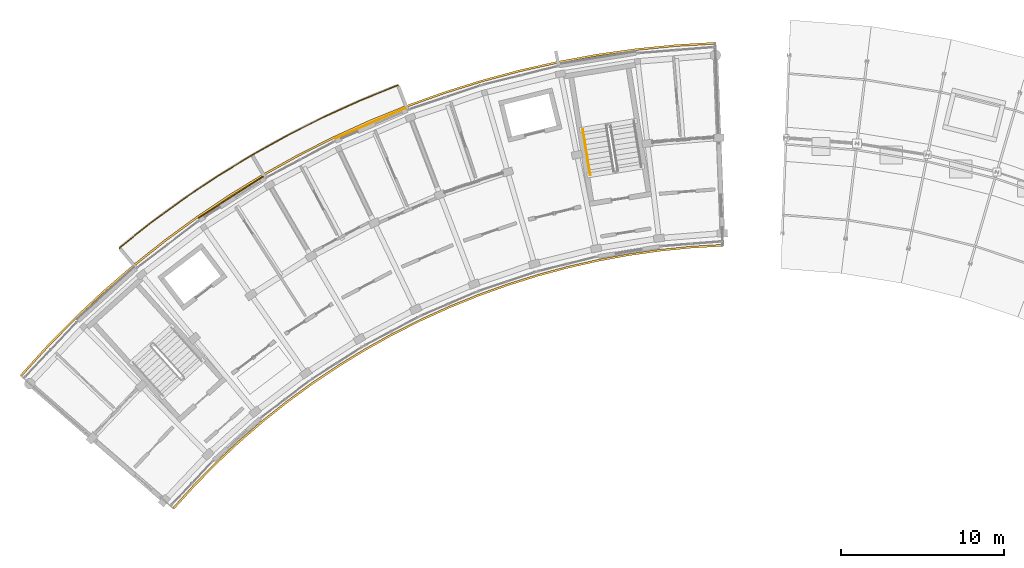
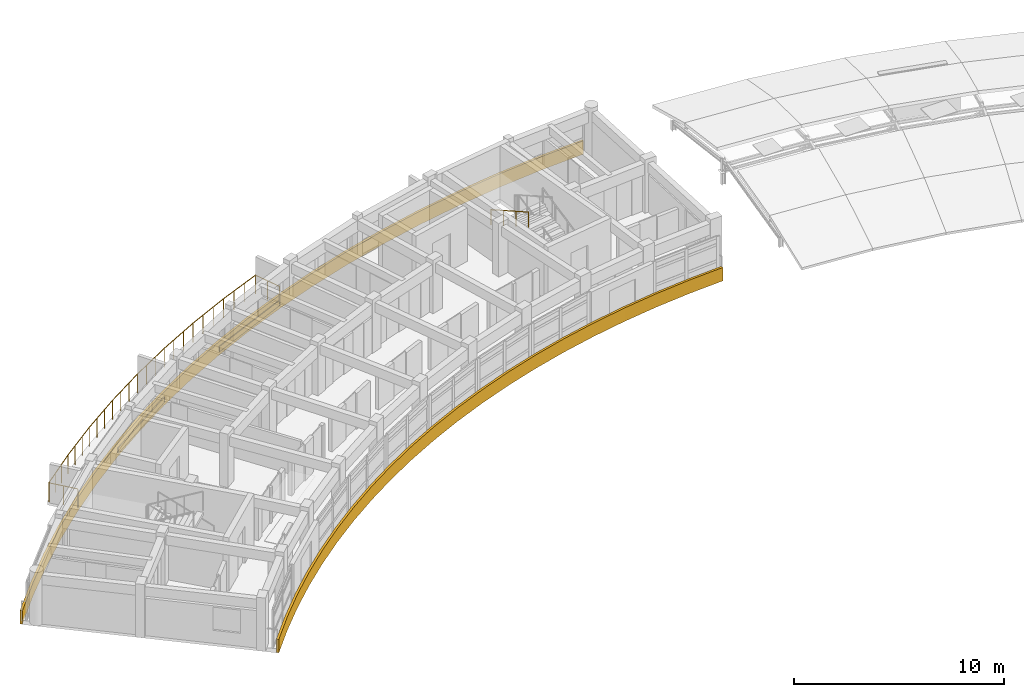
# One storey, part 19 of 20: 4 railings, 2 coverings.
"""IFC4 building model written with IfcOpenShell, lengths in metres."""

from ifc_helpers import new_model, si_unit, direction, frame, origin, origin_2d, place, context, subcontext, project, spatial, polyline, rectangle, circle, outline, extrude, material, layer, layer_set, type_object, element, save


model = new_model("IFC4")

# Units and contexts
model_context = context("Model", 3, precision=1e-05, world=origin(), true_north=direction((0.0, 1.0)))
body_context = subcontext(model_context, "Body", "Model", "MODEL_VIEW")
ifc_project = project(units=[si_unit("LENGTHUNIT", "METRE"), si_unit("AREAUNIT", "SQUARE_METRE"), si_unit("VOLUMEUNIT", "CUBIC_METRE"), si_unit("PLANEANGLEUNIT", "RADIAN"), si_unit("MASSUNIT", "GRAM", prefix="KILO")], contexts=[model_context])

# Site, building, storey
site_placement = place(None, origin())
site = spatial("IfcSite", under=ifc_project, at=site_placement, CompositionType="ELEMENT")
building_placement = place(site_placement, origin())
building = spatial("IfcBuilding", under=site, at=building_placement, Name="Zimvara Arc Housing Community", CompositionType="ELEMENT")
storey_placement = place(building_placement, frame((0.0, 0.0, 39.10009765625)))
storey = spatial("IfcBuildingStorey", under=building, at=storey_placement, Name="L12", CompositionType="ELEMENT", Elevation=39.10009765625)

# Coverings
ifc_material_1 = material(Name="Pale-Gold Anodised Aluminium Cladding", Category="aluminium")
ifc_layer_1 = layer(ifc_material_1, 0.044921875)
ifc_layer_set_1 = layer_set([ifc_layer_1], Name="Pale-Gold Anodised Aluminium Cladding")
covering_type_1 = type_object("IfcCoveringType", Name="CLD-GOLD-02", PredefinedType="CLADDING", material=ifc_layer_set_1)
covering_1_placement = place(storey_placement, frame((21.50830078125, 99.152099609375, 0.009765625), z_axis=(0.0, 0.0, 1.0), x_axis=(0.918721611116, 0.394905813161, 0.0)))
element("IfcCovering", 1, at=covering_1_placement, inside=storey, type_object=covering_type_1, Name="cld:blkA:L12:out:b5", PredefinedType="CLADDING", context=body_context, shape_type="SweptSolid", body=[
    extrude(rectangle(XDim=4.748779296875, YDim=0.044921875, at=origin_2d()), origin(), (0.0, 0.0, 1.0), 0.300048828125),
])
ifc_material_2 = material(Name="Pale-Gold Anodised Aluminium Cladding", Category="aluminium")
ifc_layer_2 = layer(ifc_material_2, 0.054931640625)
ifc_layer_set_2 = layer_set([ifc_layer_2], Name="Pale-Gold Anodised Aluminium Cladding")
covering_type_2 = type_object("IfcCoveringType", Name="CLD-GOLD-04", PredefinedType="CLADDING", material=ifc_layer_set_2)
covering_2_placement = place(storey_placement, frame((12.9326171875, 94.603759765625, 0.009765625), z_axis=(0.0, 0.0, 1.0), x_axis=(0.842265220048, 0.53906335351, 0.0)))
element("IfcCovering", 2, at=covering_2_placement, inside=storey, type_object=covering_type_2, Name="cld:blkA:L12:out:b3", PredefinedType="CLADDING", context=body_context, shape_type="SweptSolid", body=[
    extrude(rectangle(XDim=4.748779296875, YDim=0.054931640625, at=origin_2d()), origin(), (0.0, 0.0, 1.0), 0.300048828125),
])

# Railings
ifc_material_3 = material(Name="Anodised Aluminium AW-6063", Category="aluminium")
railing_type_1 = type_object("IfcRailingType", Name="RLG-BAL-1120", PredefinedType="BALUSTRADE", material=ifc_material_3)
railing_1_placement = place(storey_placement, frame((7.00927734375, 90.357666015625, 0.0)))
element("IfcRailing", 3, at=railing_1_placement, inside=storey, type_object=railing_type_1, Name="rlg:blkA:L12:bal_out_guard", PredefinedType="BALUSTRADE", context=body_context, shape_type="SweptSolid", body=[
    extrude(circle(Radius=0.02392578125, at=origin_2d()), frame((0.0, 0.0, 1.09619140625), z_axis=(-0.637992539284, 0.770042544161, 0.0), x_axis=(-0.770042544161, -0.637992539284, 0.0)), (0.0, 0.0, 1.0), 1.4697265625),
    extrude(circle(Radius=0.02392578125, at=origin_2d()), frame((-0.937744140625, 1.1318359375, 1.09619140625), z_axis=(0.782948045611, 0.622087098302, 0.0), x_axis=(-0.622087098302, 0.782948045611, 0.0)), (0.0, 0.0, 1.0), 2.4921875),
    extrude(circle(Radius=0.02392578125, at=origin_2d()), frame((1.013427734375, 2.68212890625, 1.09619140625), z_axis=(0.80765852685, 0.589650493095, 0.0), x_axis=(-0.589650493095, 0.80765852685, 0.0)), (0.0, 0.0, 1.0), 2.49169921875),
    extrude(circle(Radius=0.02392578125, at=origin_2d()), frame((3.02587890625, 4.1513671875, 1.09619140625), z_axis=(0.83106930865, 0.556168863044, 0.0), x_axis=(-0.556168863044, 0.83106930865, 0.0)), (0.0, 0.0, 1.0), 2.491943359375),
    extrude(circle(Radius=0.02392578125, at=origin_2d()), frame((5.096923828125, 5.537353515625, 1.09619140625), z_axis=(0.853131649433, 0.521695685947, 0.0), x_axis=(-0.521695685947, 0.853131649433, 0.0)), (0.0, 0.0, 1.0), 2.491943359375),
    extrude(circle(Radius=0.02392578125, at=origin_2d()), frame((7.222900390625, 6.83740234375, 1.09619140625), z_axis=(0.873653060707, 0.486549411178, 0.0), x_axis=(-0.486549411178, 0.873653060707, 0.0)), (0.0, 0.0, 1.0), 2.491943359375),
    extrude(circle(Radius=0.02392578125, at=origin_2d()), frame((9.39990234375, 8.0498046875, 1.09619140625), z_axis=(0.892834384016, 0.450385127107, 0.0), x_axis=(-0.450385127107, 0.892834384016, 0.0)), (0.0, 0.0, 1.0), 2.491943359375),
    extrude(circle(Radius=0.02392578125, at=origin_2d()), frame((11.624755859375, 9.172119140625, 1.09619140625), z_axis=(0.910443630497, 0.413633165604, 0.0), x_axis=(-0.413633165604, 0.910443630497, 0.0)), (0.0, 0.0, 1.0), 2.491943359375),
    extrude(circle(Radius=0.02392578125, at=origin_2d()), frame((13.8935546875, 10.202880859375, 1.09619140625), z_axis=(0.926613832847, 0.37601436778, 0.0), x_axis=(-0.37601436778, 0.926613832847, 0.0)), (0.0, 0.0, 1.0), 2.491943359375),
    extrude(circle(Radius=0.02392578125, at=origin_2d()), frame((16.20263671875, 11.139892578125, 1.09619140625), z_axis=(0.357086323574, -0.934071387805, 0.0), x_axis=(0.934071387805, 0.357086323574, 0.0)), (0.0, 0.0, 1.0), 1.469970703125),
    extrude(circle(Radius=0.02099609375, at=origin_2d()), origin(), (0.0, 0.0, 1.0), 1.072021484375),
    extrude(circle(Radius=0.02099609375, at=origin_2d()), frame((-0.46875, 0.56591796875, 0.0)), (0.0, 0.0, 1.0), 1.072021484375),
    extrude(circle(Radius=0.02099609375, at=origin_2d()), frame((-0.937744140625, 1.1318359375, 0.0)), (0.0, 0.0, 1.0), 1.072021484375),
    extrude(circle(Radius=0.02099609375, at=origin_2d()), frame((-0.287353515625, 1.648681640625, 0.0)), (0.0, 0.0, 1.0), 1.072021484375),
    extrude(circle(Radius=0.02099609375, at=origin_2d()), frame((0.363037109375, 2.165283203125, 0.0)), (0.0, 0.0, 1.0), 1.072021484375),
    extrude(circle(Radius=0.02099609375, at=origin_2d()), frame((1.013427734375, 2.68212890625, 0.0)), (0.0, 0.0, 1.0), 1.072021484375),
    extrude(circle(Radius=0.02099609375, at=origin_2d()), frame((1.684326171875, 3.171875, 0.0)), (0.0, 0.0, 1.0), 1.072021484375),
    extrude(circle(Radius=0.02099609375, at=origin_2d()), frame((2.35498046875, 3.66162109375, 0.0)), (0.0, 0.0, 1.0), 1.072021484375),
    extrude(circle(Radius=0.02099609375, at=origin_2d()), frame((3.02587890625, 4.1513671875, 0.0)), (0.0, 0.0, 1.0), 1.072021484375),
    extrude(circle(Radius=0.02099609375, at=origin_2d()), frame((3.71630859375, 4.61328125, 0.0)), (0.0, 0.0, 1.0), 1.072021484375),
    extrude(circle(Radius=0.02099609375, at=origin_2d()), frame((4.406494140625, 5.075439453125, 0.0)), (0.0, 0.0, 1.0), 1.072021484375),
    extrude(circle(Radius=0.02099609375, at=origin_2d()), frame((5.096923828125, 5.537353515625, 0.0)), (0.0, 0.0, 1.0), 1.072021484375),
    extrude(circle(Radius=0.02099609375, at=origin_2d()), frame((5.8056640625, 5.970703125, 0.0)), (0.0, 0.0, 1.0), 1.072021484375),
    extrude(circle(Radius=0.02099609375, at=origin_2d()), frame((6.51416015625, 6.404052734375, 0.0)), (0.0, 0.0, 1.0), 1.072021484375),
    extrude(circle(Radius=0.02099609375, at=origin_2d()), frame((7.222900390625, 6.83740234375, 0.0)), (0.0, 0.0, 1.0), 1.072021484375),
    extrude(circle(Radius=0.02099609375, at=origin_2d()), frame((7.948486328125, 7.241455078125, 0.0)), (0.0, 0.0, 1.0), 1.072021484375),
    extrude(circle(Radius=0.02099609375, at=origin_2d()), frame((8.67431640625, 7.645751953125, 0.0)), (0.0, 0.0, 1.0), 1.072021484375),
    extrude(circle(Radius=0.02099609375, at=origin_2d()), frame((9.39990234375, 8.0498046875, 0.0)), (0.0, 0.0, 1.0), 1.072021484375),
    extrude(circle(Radius=0.02099609375, at=origin_2d()), frame((10.1416015625, 8.423828125, 0.0)), (0.0, 0.0, 1.0), 1.072021484375),
    extrude(circle(Radius=0.02099609375, at=origin_2d()), frame((10.883056640625, 8.798095703125, 0.0)), (0.0, 0.0, 1.0), 1.072021484375),
    extrude(circle(Radius=0.02099609375, at=origin_2d()), frame((11.624755859375, 9.172119140625, 0.0)), (0.0, 0.0, 1.0), 1.072021484375),
    extrude(circle(Radius=0.02099609375, at=origin_2d()), frame((12.381103515625, 9.515625, 0.0)), (0.0, 0.0, 1.0), 1.072021484375),
    extrude(circle(Radius=0.02099609375, at=origin_2d()), frame((13.13720703125, 9.859375, 0.0)), (0.0, 0.0, 1.0), 1.072021484375),
    extrude(circle(Radius=0.02099609375, at=origin_2d()), frame((13.8935546875, 10.202880859375, 0.0)), (0.0, 0.0, 1.0), 1.072021484375),
    extrude(circle(Radius=0.02099609375, at=origin_2d()), frame((14.663330078125, 10.51513671875, 0.0)), (0.0, 0.0, 1.0), 1.072021484375),
    extrude(circle(Radius=0.02099609375, at=origin_2d()), frame((15.432861328125, 10.82763671875, 0.0)), (0.0, 0.0, 1.0), 1.072021484375),
    extrude(circle(Radius=0.02099609375, at=origin_2d()), frame((16.20263671875, 11.139892578125, 0.0)), (0.0, 0.0, 1.0), 1.072021484375),
    extrude(circle(Radius=0.02099609375, at=origin_2d()), frame((16.465087890625, 10.453369140625, 0.0)), (0.0, 0.0, 1.0), 1.072021484375),
    extrude(circle(Radius=0.02099609375, at=origin_2d()), frame((16.7275390625, 9.766845703125, 0.0)), (0.0, 0.0, 1.0), 1.072021484375),
])
ifc_material_4 = material(Name="Pale-Gold Anodised Aluminium AW-6063", Category="aluminium")
railing_type_2 = type_object("IfcRailingType", Name="RLG-FAS-780", PredefinedType="BALUSTRADE", material=ifc_material_4)
railing_2_placement = place(storey_placement, frame((0.0, 0.0, -0.22021484375)))
element("IfcRailing", 4, at=railing_2_placement, inside=storey, type_object=railing_type_2, Name="rlg:blkA:L12:gold_out", PredefinedType="BALUSTRADE", context=body_context, shape_type="SweptSolid", body=[
    extrude(outline(polyline([(0.049560546875, 83.574951171875), (1.682373046875, 85.377685546875), (3.387451171875, 87.112060546875), (5.162109375, 88.775634765625), (7.0029296875, 90.365234375), (8.9072265625, 91.87841796875), (10.871826171875, 93.3125), (12.893310546875, 94.665283203125), (14.96826171875, 95.934326171875), (17.09326171875, 97.11767578125), (19.264892578125, 98.213134765625), (21.4794921875, 99.218994140625), (23.733154296875, 100.1337890625), (26.0224609375, 100.955810546875), (28.34326171875, 101.68359375), (30.692138671875, 102.31591796875), (33.064453125, 102.851806640625), (35.45703125, 103.29052734375), (37.865234375, 103.631103515625), (40.28564453125, 103.873046875), (42.713623046875, 104.01611328125), (42.708984375, 104.135986328125), (40.276123046875, 103.99267578125), (37.850830078125, 103.750244140625), (35.437744140625, 103.408935546875), (33.04052734375, 102.969482421875), (30.6630859375, 102.432373046875), (28.309814453125, 101.798583984375), (25.984375, 101.069580078125), (23.6904296875, 100.245849609375), (21.43212890625, 99.329345703125), (19.213134765625, 98.3212890625), (17.037109375, 97.2236328125), (14.90771484375, 96.037841796875), (12.82861328125, 94.766357421875), (10.802978515625, 93.410888671875), (8.834716796875, 91.973876953125), (6.926513671875, 90.457763671875), (5.081787109375, 88.86474609375), (3.3037109375, 87.197998046875), (1.59521484375, 85.4599609375), (-0.041015625, 83.653564453125), (0.049560546875, 83.574951171875)])), origin(), (0.0, 0.0, 1.0), 0.780029296875),
])
railing_3_placement = place(storey_placement, frame((0.0, 0.0, -0.22021484375)))
element("IfcRailing", 5, at=railing_3_placement, inside=storey, type_object=railing_type_2, Name="rlg:blkA:L12:gold_in", PredefinedType="BALUSTRADE", context=body_context, shape_type="SweptSolid", body=[
    extrude(outline(polyline([(9.43798828125, 75.41357421875), (10.72998046875, 76.839599609375), (12.078857421875, 78.2119140625), (13.48291015625, 79.528076171875), (14.939208984375, 80.78564453125), (16.44580078125, 81.982666015625), (18.0, 83.1171875), (19.599365234375, 84.1875), (21.240966796875, 85.19140625), (22.922119140625, 86.127685546875), (24.64013671875, 86.994384765625), (26.39208984375, 87.790283203125), (28.175048828125, 88.513916015625), (29.986328125, 89.1640625), (31.822265625, 89.73974609375), (33.680419921875, 90.240234375), (35.557373046875, 90.664306640625), (37.4501953125, 91.01123046875), (39.35546875, 91.28076171875), (41.270263671875, 91.47216796875), (43.191162109375, 91.585205078125), (43.1865234375, 91.705078125), (41.2607421875, 91.591796875), (39.341064453125, 91.39990234375), (37.430908203125, 91.129638671875), (35.533447265625, 90.78173828125), (33.651611328125, 90.356689453125), (31.788818359375, 89.85498046875), (29.947998046875, 89.27783203125), (28.13232421875, 88.6259765625), (26.3447265625, 87.900390625), (24.58837890625, 87.1025390625), (22.865966796875, 86.233642578125), (21.180419921875, 85.295166015625), (19.53466796875, 84.28857421875), (17.93115234375, 83.215576171875), (16.373046875, 82.078125), (14.86279296875, 80.8779296875), (13.402587890625, 79.6171875), (11.9951171875, 78.2978515625), (10.642578125, 76.922119140625), (9.347412109375, 75.4921875), (9.43798828125, 75.41357421875)])), origin(), (0.0, 0.0, 1.0), 0.780029296875),
])
ifc_material_5 = material(Name="Anodised Aluminium AW-6063", Category="aluminium")
railing_type_3 = type_object("IfcRailingType", Name="RLG-HND-900", PredefinedType="HANDRAIL", material=ifc_material_5)
railing_4_placement = place(storey_placement, frame((34.58056640625, 98.7666015625, 1.704833984375)))
element("IfcRailing", 6, at=railing_4_placement, inside=storey, type_object=railing_type_3, Name="L12 ST-A2 stair handrail 2", PredefinedType="HANDRAIL", context=body_context, shape_type="SweptSolid", body=[
    extrude(circle(Radius=0.02392578125, at=origin_2d()), frame((0.0, 0.0, 0.8759765625), z_axis=(0.143721784145, -0.885666177347, 0.441519502474), x_axis=(0.987087819028, 0.160180016, 0.0)), (0.0, 0.0, 1.0), 3.15966796875),
    extrude(circle(Radius=0.02099609375, at=origin_2d()), origin(), (0.0, 0.0, 1.0), 0.851806640625),
    extrude(circle(Radius=0.02099609375, at=origin_2d()), frame((0.1513671875, -0.932861328125, 0.465087890625)), (0.0, 0.0, 1.0), 0.851806640625),
    extrude(circle(Radius=0.02099609375, at=origin_2d()), frame((0.302734375, -1.865478515625, 0.929931640625)), (0.0, 0.0, 1.0), 0.851806640625),
    extrude(circle(Radius=0.02099609375, at=origin_2d()), frame((0.4541015625, -2.79833984375, 1.39501953125)), (0.0, 0.0, 1.0), 0.851806640625),
])

save(model, "model.ifc")
